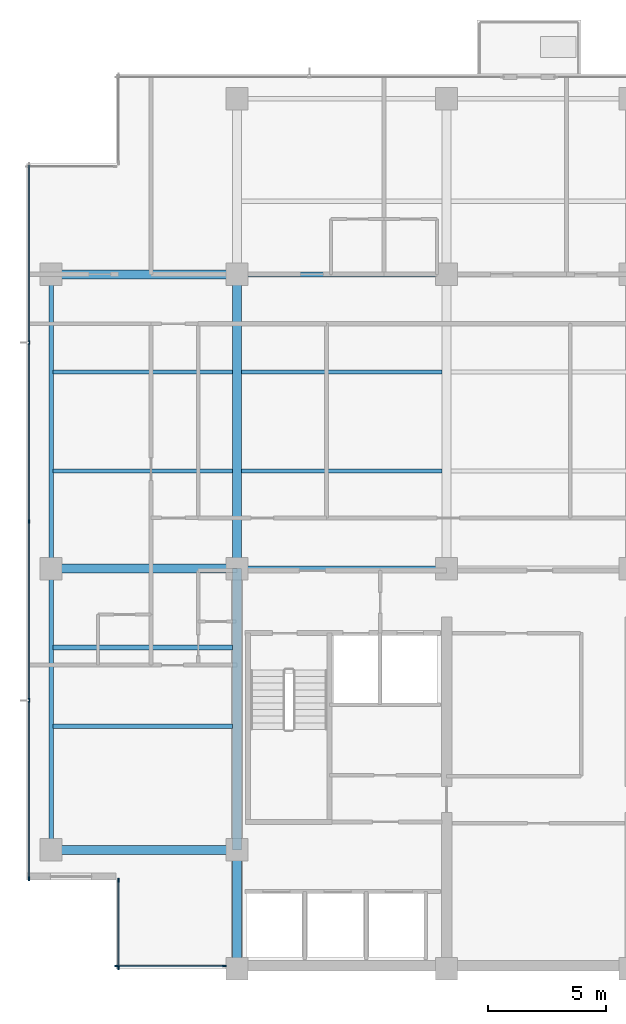
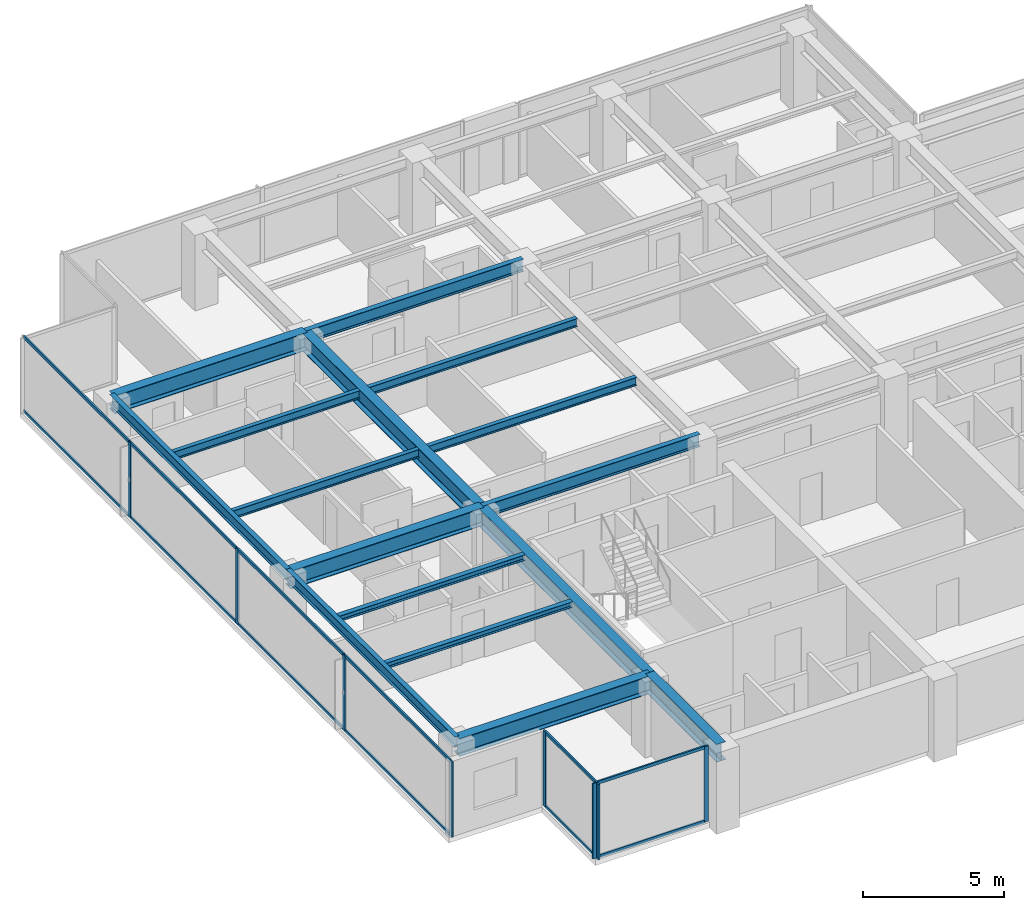
# One storey, part 2 of 15: 20 members, 16 beams, 3 elements without a shape of their own.
"""IFC4 building model written with IfcOpenShell, lengths in metres."""

from ifc_helpers import new_model, si_unit, direction, frame, origin, origin_2d, place, context, subcontext, project, spatial, rectangle, i_section, extrude, material, layer, layer_set, material_profile, profile_set, type_object, element, aggregate, save


model = new_model("IFC4")

# Units and contexts
model_context = context("Model", 3, precision=1e-05, world=origin(), true_north=direction((0.0, 1.0)))
body_context = subcontext(model_context, "Body", "Model", "MODEL_VIEW")
ifc_project = project(units=[si_unit("LENGTHUNIT", "METRE"), si_unit("AREAUNIT", "SQUARE_METRE"), si_unit("VOLUMEUNIT", "CUBIC_METRE"), si_unit("PLANEANGLEUNIT", "RADIAN"), si_unit("MASSUNIT", "GRAM", prefix="KILO")], contexts=[model_context])

# Site, building, storey
site_placement = place(None, origin())
site = spatial("IfcSite", under=ifc_project, at=site_placement, CompositionType="ELEMENT")
building_placement = place(site_placement, origin())
building = spatial("IfcBuilding", under=site, at=building_placement, Name="Qalmaran Belvedere Hotel", CompositionType="ELEMENT")
storey_placement = place(building_placement, frame((0.0, 0.0, 231.89990234375)))
storey = spatial("IfcBuildingStorey", under=building, at=storey_placement, Name="L59", CompositionType="ELEMENT", Elevation=231.89990234375)

# Beams
ifc_material_1 = material(Name="Steel S355JR", Category="steel")
ifc_material_profile_1 = material_profile(ifc_material_1, i_section(OverallWidth=0.201904296875, OverallDepth=0.2470703125, WebThickness=0.00732421875, FlangeThickness=0.010986328125, FilletRadius=0.011962890625, at=origin_2d()), Name="W250X49")
ifc_profile_set_1 = profile_set([ifc_material_profile_1], Name="Steel S355JR")
beam_type_1 = type_object("IfcBeamType", Name="BM-JST-W250X49", PredefinedType="JOIST", material=ifc_profile_set_1)
for number, where, z_axis, x_axis, name in (
    (1, (12.493896484375, 13.800048828125, 3.13671875), (1.0, 0.0, 0.0), (0.0, 1.0, 0.0), "L59 West Wing Joist 038"),
    (2, (12.493896484375, 17.14990234375, 3.13671875), (1.0, 0.0, 0.0), (0.0, 1.0, 0.0), "L59 West Wing Joist 040"),
):
    element("IfcBeam", number, at=place(storey_placement, frame(where, z_axis=z_axis, x_axis=x_axis)), inside=storey, type_object=beam_type_1, Name=name, PredefinedType="JOIST", context=body_context, shape_type="SweptSolid", body=[
        extrude(i_section(OverallWidth=0.201904296875, OverallDepth=0.2470703125, WebThickness=0.00732421875, FlangeThickness=0.010986328125, FilletRadius=0.011962890625, at=origin_2d()), origin(), (0.0, 0.0, 1.0), 7.61767578125),
    ])
ifc_material_profile_2 = material_profile(ifc_material_1, i_section(OverallWidth=0.381103515625, OverallDepth=0.77294921875, WebThickness=0.0166015625, FlangeThickness=0.027099609375, FilletRadius=0.02197265625, at=origin_2d()), Name="W760X257")
ifc_profile_set_2 = profile_set([ifc_material_profile_2], Name="Steel S355JR")
beam_type_2 = type_object("IfcBeamType", Name="BM-PG4-W760X257", PredefinedType="USERDEFINED", material=ifc_profile_set_2)
beam_1_placement = place(storey_placement, frame((20.300048828125, 20.5, 2.87353515625), z_axis=(0.0, 1.0, 0.0), x_axis=(-1.0, 0.0, 0.0)))
element("IfcBeam", 3, at=beam_1_placement, inside=storey, type_object=beam_type_2, Name="L59 Mid-Plate N-S Girder 14", ObjectType="GIRDER", PredefinedType="USERDEFINED", context=body_context, shape_type="SweptSolid", body=[
    extrude(i_section(OverallWidth=0.381103515625, OverallDepth=0.77294921875, WebThickness=0.0166015625, FlangeThickness=0.027099609375, FilletRadius=0.02197265625, at=origin_2d()), origin(), (0.0, 0.0, 1.0), 12.5),
])
for number, where, z_axis, x_axis, name in (
    (4, (12.39990234375, 8.550048828125, 2.87353515625), (1.0, 0.0, 0.0), (0.0, 1.0, 0.0), "L59 West Wing Girder 22"),
    (5, (12.39990234375, 20.5, 2.87353515625), (1.0, 0.0, 0.0), (0.0, 1.0, 0.0), "L59 West Wing Girder 23"),
    (6, (12.39990234375, 33.0, 2.87353515625), (1.0, 0.0, 0.0), (0.0, 1.0, 0.0), "L59 West Wing Girder 24"),
):
    element("IfcBeam", number, at=place(storey_placement, frame(where, z_axis=z_axis, x_axis=x_axis)), inside=storey, type_object=beam_type_2, Name=name, ObjectType="GIRDER", PredefinedType="USERDEFINED", context=body_context, shape_type="SweptSolid", body=[
        extrude(i_section(OverallWidth=0.381103515625, OverallDepth=0.77294921875, WebThickness=0.0166015625, FlangeThickness=0.027099609375, FilletRadius=0.02197265625, at=origin_2d()), origin(), (0.0, 0.0, 1.0), 7.900146484375),
    ])
beam_2_placement = place(storey_placement, frame((20.300048828125, 3.5, 2.87353515625), z_axis=(0.0, 1.0, 0.0), x_axis=(-1.0, 0.0, 0.0)))
element("IfcBeam", 7, at=beam_2_placement, inside=storey, type_object=beam_type_2, Name="L59 West Core Edge Girder A", ObjectType="GIRDER", PredefinedType="USERDEFINED", context=body_context, shape_type="SweptSolid", body=[
    extrude(i_section(OverallWidth=0.381103515625, OverallDepth=0.77294921875, WebThickness=0.0166015625, FlangeThickness=0.027099609375, FilletRadius=0.02197265625, at=origin_2d()), origin(), (0.0, 0.0, 1.0), 5.050048828125),
])
beam_3_placement = place(storey_placement, frame((20.300048828125, 8.550048828125, 2.87353515625), z_axis=(0.0, 1.0, 0.0), x_axis=(-1.0, 0.0, 0.0)))
element("IfcBeam", 8, at=beam_3_placement, inside=storey, type_object=beam_type_2, Name="L59 West Core Edge Girder B", ObjectType="GIRDER", PredefinedType="USERDEFINED", context=body_context, shape_type="SweptSolid", body=[
    extrude(i_section(OverallWidth=0.381103515625, OverallDepth=0.77294921875, WebThickness=0.0166015625, FlangeThickness=0.027099609375, FilletRadius=0.02197265625, at=origin_2d()), origin(), (0.0, 0.0, 1.0), 11.949951171875),
])
ifc_material_profile_3 = material_profile(ifc_material_1, i_section(OverallWidth=0.172119140625, OverallDepth=0.35791015625, WebThickness=0.0078125, FlangeThickness=0.01318359375, FilletRadius=0.014892578125, at=origin_2d()), Name="W360X57")
ifc_profile_set_3 = profile_set([ifc_material_profile_3], Name="Steel S355JR")
beam_type_3 = type_object("IfcBeamType", Name="BM-SB4-W360X57", PredefinedType="BEAM", material=ifc_profile_set_3)
beam_4_placement = place(storey_placement, frame((12.493896484375, 24.64990234375, 3.0810546875), z_axis=(1.0, 0.0, 0.0), x_axis=(0.0, 1.0, 0.0)))
element("IfcBeam", 9, at=beam_4_placement, inside=storey, type_object=beam_type_3, Name="L59 West Secondary Beam 028", PredefinedType="BEAM", context=body_context, shape_type="SweptSolid", body=[
    extrude(i_section(OverallWidth=0.172119140625, OverallDepth=0.35791015625, WebThickness=0.0078125, FlangeThickness=0.01318359375, FilletRadius=0.014892578125, at=origin_2d()), origin(), (0.0, 0.0, 1.0), 7.61767578125),
])
beam_5_placement = place(storey_placement, frame((20.488525390625, 24.64990234375, 3.0810546875), z_axis=(1.0, 0.0, 0.0), x_axis=(0.0, 1.0, 0.0)))
element("IfcBeam", 10, at=beam_5_placement, inside=storey, type_object=beam_type_3, Name="L59 Secondary Floor Beam 029", PredefinedType="BEAM", context=body_context, shape_type="SweptSolid", body=[
    extrude(i_section(OverallWidth=0.172119140625, OverallDepth=0.35791015625, WebThickness=0.0078125, FlangeThickness=0.01318359375, FilletRadius=0.014892578125, at=origin_2d()), origin(), (0.0, 0.0, 1.0), 8.52294921875),
])
beam_6_placement = place(storey_placement, frame((12.493896484375, 28.85009765625, 3.0810546875), z_axis=(1.0, 0.0, 0.0), x_axis=(0.0, 1.0, 0.0)))
element("IfcBeam", 11, at=beam_6_placement, inside=storey, type_object=beam_type_3, Name="L59 West Secondary Beam 033", PredefinedType="BEAM", context=body_context, shape_type="SweptSolid", body=[
    extrude(i_section(OverallWidth=0.172119140625, OverallDepth=0.35791015625, WebThickness=0.0078125, FlangeThickness=0.01318359375, FilletRadius=0.014892578125, at=origin_2d()), origin(), (0.0, 0.0, 1.0), 7.61767578125),
])
beam_7_placement = place(storey_placement, frame((20.488525390625, 28.85009765625, 3.0810546875), z_axis=(1.0, 0.0, 0.0), x_axis=(0.0, 1.0, 0.0)))
element("IfcBeam", 12, at=beam_7_placement, inside=storey, type_object=beam_type_3, Name="L59 Secondary Floor Beam 034", PredefinedType="BEAM", context=body_context, shape_type="SweptSolid", body=[
    extrude(i_section(OverallWidth=0.172119140625, OverallDepth=0.35791015625, WebThickness=0.0078125, FlangeThickness=0.01318359375, FilletRadius=0.014892578125, at=origin_2d()), origin(), (0.0, 0.0, 1.0), 8.52294921875),
])
ifc_material_profile_4 = material_profile(ifc_material_1, i_section(OverallWidth=0.19189453125, OverallDepth=0.462890625, WebThickness=0.010498046875, FlangeThickness=0.017578125, FilletRadius=0.01611328125, at=origin_2d()), Name="W460X89")
ifc_profile_set_4 = profile_set([ifc_material_profile_4], Name="Steel S355JR")
beam_type_4 = type_object("IfcBeamType", Name="BM-SP2-W460X89", PredefinedType="SPANDREL", material=ifc_profile_set_4)
beam_8_placement = place(storey_placement, frame((12.39990234375, 8.550048828125, 3.028564453125), z_axis=(0.0, 1.0, 0.0), x_axis=(-1.0, 0.0, 0.0)))
element("IfcBeam", 13, at=beam_8_placement, inside=storey, type_object=beam_type_4, Name="L59 Perimeter Spandrel 01", PredefinedType="SPANDREL", context=body_context, shape_type="SweptSolid", body=[
    extrude(i_section(OverallWidth=0.19189453125, OverallDepth=0.462890625, WebThickness=0.010498046875, FlangeThickness=0.017578125, FilletRadius=0.01611328125, at=origin_2d()), origin(), (0.0, 0.0, 1.0), 11.949951171875),
])
beam_9_placement = place(storey_placement, frame((12.39990234375, 20.5, 3.028564453125), z_axis=(0.0, 1.0, 0.0), x_axis=(-1.0, 0.0, 0.0)))
element("IfcBeam", 14, at=beam_9_placement, inside=storey, type_object=beam_type_4, Name="L59 Perimeter Spandrel 02", PredefinedType="SPANDREL", context=body_context, shape_type="SweptSolid", body=[
    extrude(i_section(OverallWidth=0.19189453125, OverallDepth=0.462890625, WebThickness=0.010498046875, FlangeThickness=0.017578125, FilletRadius=0.01611328125, at=origin_2d()), origin(), (0.0, 0.0, 1.0), 12.5),
])
ifc_material_profile_5 = material_profile(ifc_material_1, i_section(OverallWidth=0.2109375, OverallDepth=0.5390625, WebThickness=0.01171875, FlangeThickness=0.018798828125, FilletRadius=0.01806640625, at=origin_2d()), Name="W530X109")
ifc_profile_set_5 = profile_set([ifc_material_profile_5], Name="Steel S355JR")
beam_type_5 = type_object("IfcBeamType", Name="BM-Z4-W530X109", PredefinedType="USERDEFINED", material=ifc_profile_set_5)
for number, where, z_axis, x_axis, name in (
    (15, (20.300048828125, 20.5, 2.990478515625), (1.0, 0.0, 0.0), (0.0, 1.0, 0.0), "L59 Interior E-W Girder 08"),
    (16, (20.300048828125, 33.0, 2.990478515625), (1.0, 0.0, 0.0), (0.0, 1.0, 0.0), "L59 Interior E-W Girder 11"),
):
    element("IfcBeam", number, at=place(storey_placement, frame(where, z_axis=z_axis, x_axis=x_axis)), inside=storey, type_object=beam_type_5, Name=name, ObjectType="GIRDER", PredefinedType="USERDEFINED", context=body_context, shape_type="SweptSolid", body=[
        extrude(i_section(OverallWidth=0.2109375, OverallDepth=0.5390625, WebThickness=0.01171875, FlangeThickness=0.018798828125, FilletRadius=0.01806640625, at=origin_2d()), origin(), (0.0, 0.0, 1.0), 8.89990234375),
    ])

# Curtain wall, members
ifc_material_2 = material(Name="Anodised Bronze Aluminium", Category="aluminium")
ifc_layer = layer(ifc_material_2, 0.18994140625, Name="Anodised Bronze Aluminium")
ifc_layer_set = layer_set([ifc_layer], Name="Anodised Bronze Aluminium")
curtain_wall_type = type_object("IfcCurtainWallType", Name="CW5-TOWER-UPPER", PredefinedType="NOTDEFINED", material=ifc_layer_set)
curtain_wall_1_placement = place(storey_placement, origin())
curtain_wall_1 = element("IfcCurtainWall", 17, at=curtain_wall_1_placement, inside=storey, type_object=curtain_wall_type, Name="L59 Curtain Wall CW5", PredefinedType="NOTDEFINED")
ifc_material_profile_6 = material_profile(ifc_material_2, rectangle(XDim=0.06494140625, YDim=0.1650390625, at=origin_2d()), Name="CWM65X165")
ifc_profile_set_6 = profile_set([ifc_material_profile_6], Name="Anodised Bronze Aluminium")
member_type_1 = type_object("IfcMemberType", Name="CWM-65X165", PredefinedType="MULLION", material=ifc_profile_set_6)
member_1_placement = place(storey_placement, frame((15.1826171875, 3.6201171875, 0.0), z_axis=(0.0, 0.0, 1.0), x_axis=(0.0, 1.0, 0.0)))
member_1 = element("IfcMember", 18, at=member_1_placement, type_object=member_type_1, Name="CW5 mullion 1", PredefinedType="MULLION", context=body_context, shape_type="SweptSolid", body=[
    extrude(rectangle(XDim=0.06494140625, YDim=0.1650390625, at=origin_2d()), origin(), (0.0, 0.0, 1.0), 3.260009765625),
])
member_2_placement = place(storey_placement, frame((19.75244140625, 3.6201171875, 0.0), z_axis=(0.0, 0.0, 1.0), x_axis=(0.0, 1.0, 0.0)))
member_2 = element("IfcMember", 19, at=member_2_placement, type_object=member_type_1, Name="CW5 mullion 2", PredefinedType="MULLION", context=body_context, shape_type="SweptSolid", body=[
    extrude(rectangle(XDim=0.06494140625, YDim=0.1650390625, at=origin_2d()), origin(), (0.0, 0.0, 1.0), 3.260009765625),
])

curtain_wall_2_placement = place(storey_placement, origin())
curtain_wall_2 = element("IfcCurtainWall", 20, at=curtain_wall_2_placement, inside=storey, type_object=curtain_wall_type, Name="L59 Curtain Wall CW5", PredefinedType="NOTDEFINED")
member_3_placement = place(storey_placement, frame((11.469970703125, 30.10009765625, 0.0), z_axis=(0.0, 0.0, 1.0), x_axis=(1.0, 0.0, 0.0)))
member_3 = element("IfcMember", 21, at=member_3_placement, type_object=member_type_1, Name="CW5 mullion 2", PredefinedType="MULLION", context=body_context, shape_type="SweptSolid", body=[
    extrude(rectangle(XDim=0.06494140625, YDim=0.1650390625, at=origin_2d()), origin(), (0.0, 0.0, 1.0), 3.260009765625),
])
member_4_placement = place(storey_placement, frame((11.469970703125, 22.5, 0.0), z_axis=(0.0, 0.0, 1.0), x_axis=(1.0, 0.0, 0.0)))
member_4 = element("IfcMember", 22, at=member_4_placement, type_object=member_type_1, Name="CW5 mullion 3", PredefinedType="MULLION", context=body_context, shape_type="SweptSolid", body=[
    extrude(rectangle(XDim=0.06494140625, YDim=0.1650390625, at=origin_2d()), origin(), (0.0, 0.0, 1.0), 3.260009765625),
])
member_5_placement = place(storey_placement, frame((11.469970703125, 14.89990234375, 0.0), z_axis=(0.0, 0.0, 1.0), x_axis=(1.0, 0.0, 0.0)))
member_5 = element("IfcMember", 23, at=member_5_placement, type_object=member_type_1, Name="CW5 mullion 4", PredefinedType="MULLION", context=body_context, shape_type="SweptSolid", body=[
    extrude(rectangle(XDim=0.06494140625, YDim=0.1650390625, at=origin_2d()), origin(), (0.0, 0.0, 1.0), 3.260009765625),
])
member_6_placement = place(storey_placement, frame((11.469970703125, 7.33251953125, 0.0), z_axis=(0.0, 0.0, 1.0), x_axis=(1.0, 0.0, 0.0)))
member_6 = element("IfcMember", 24, at=member_6_placement, type_object=member_type_1, Name="CW5 mullion 5", PredefinedType="MULLION", context=body_context, shape_type="SweptSolid", body=[
    extrude(rectangle(XDim=0.06494140625, YDim=0.1650390625, at=origin_2d()), origin(), (0.0, 0.0, 1.0), 3.260009765625),
])

curtain_wall_3_placement = place(storey_placement, origin())
curtain_wall_3 = element("IfcCurtainWall", 25, at=curtain_wall_3_placement, inside=storey, type_object=curtain_wall_type, Name="L59 Curtain Wall CW5", PredefinedType="NOTDEFINED")
member_7_placement = place(storey_placement, frame((15.27001953125, 7.267578125, 0.0), z_axis=(0.0, 0.0, 1.0), x_axis=(1.0, 0.0, 0.0)))
member_7 = element("IfcMember", 26, at=member_7_placement, type_object=member_type_1, Name="CW5 mullion 1", PredefinedType="MULLION", context=body_context, shape_type="SweptSolid", body=[
    extrude(rectangle(XDim=0.06494140625, YDim=0.1650390625, at=origin_2d()), origin(), (0.0, 0.0, 1.0), 3.260009765625),
])
member_8_placement = place(storey_placement, frame((15.27001953125, 3.532470703125, 0.0), z_axis=(0.0, 0.0, 1.0), x_axis=(1.0, 0.0, 0.0)))
member_8 = element("IfcMember", 27, at=member_8_placement, type_object=member_type_1, Name="CW5 mullion 2", PredefinedType="MULLION", context=body_context, shape_type="SweptSolid", body=[
    extrude(rectangle(XDim=0.06494140625, YDim=0.1650390625, at=origin_2d()), origin(), (0.0, 0.0, 1.0), 3.260009765625),
])

# Member
ifc_material_profile_7 = material_profile(ifc_material_2, rectangle(XDim=0.06494140625, YDim=0.1298828125, at=origin_2d()), Name="CWT65X130")
ifc_profile_set_7 = profile_set([ifc_material_profile_7], Name="Anodised Bronze Aluminium")
member_type_2 = type_object("IfcMemberType", Name="CWT-65X130", PredefinedType="USERDEFINED", material=ifc_profile_set_7)
member_9_placement = place(storey_placement, frame((15.215087890625, 3.6201171875, 0.03271484375), z_axis=(1.0, 0.0, 0.0), x_axis=(0.0, 1.0, 0.0)))
member_9 = element("IfcMember", 28, at=member_9_placement, type_object=member_type_2, Name="CW5 transom 1.1", ObjectType="TRANSOM", PredefinedType="USERDEFINED", context=body_context, shape_type="SweptSolid", body=[
    extrude(rectangle(XDim=0.06494140625, YDim=0.1298828125, at=origin_2d()), origin(), (0.0, 0.0, 1.0), 4.5048828125),
])

member_10_placement = place(storey_placement, frame((15.215087890625, 3.6201171875, 3.2275390625), z_axis=(1.0, 0.0, 0.0), x_axis=(0.0, 1.0, 0.0)))
member_10 = element("IfcMember", 29, at=member_10_placement, type_object=member_type_2, Name="CW5 transom 1.2", ObjectType="TRANSOM", PredefinedType="USERDEFINED", context=body_context, shape_type="SweptSolid", body=[
    extrude(rectangle(XDim=0.06494140625, YDim=0.1298828125, at=origin_2d()), origin(), (0.0, 0.0, 1.0), 4.5048828125),
])

aggregate(curtain_wall_1, [member_1, member_2, member_9, member_10])

member_11_placement = place(storey_placement, frame((11.469970703125, 37.635009765625, 0.03271484375), z_axis=(0.0, -1.0, 0.0), x_axis=(1.0, 0.0, 0.0)))
member_11 = element("IfcMember", 30, at=member_11_placement, type_object=member_type_2, Name="CW5 transom 1.1", ObjectType="TRANSOM", PredefinedType="USERDEFINED", context=body_context, shape_type="SweptSolid", body=[
    extrude(rectangle(XDim=0.06494140625, YDim=0.1298828125, at=origin_2d()), origin(), (0.0, 0.0, 1.0), 7.50244140625),
])

member_12_placement = place(storey_placement, frame((11.469970703125, 37.635009765625, 3.2275390625), z_axis=(0.0, -1.0, 0.0), x_axis=(1.0, 0.0, 0.0)))
member_12 = element("IfcMember", 31, at=member_12_placement, type_object=member_type_2, Name="CW5 transom 1.2", ObjectType="TRANSOM", PredefinedType="USERDEFINED", context=body_context, shape_type="SweptSolid", body=[
    extrude(rectangle(XDim=0.06494140625, YDim=0.1298828125, at=origin_2d()), origin(), (0.0, 0.0, 1.0), 7.50244140625),
])

member_13_placement = place(storey_placement, frame((11.469970703125, 30.0673828125, 0.03271484375), z_axis=(0.0, -1.0, 0.0), x_axis=(1.0, 0.0, 0.0)))
member_13 = element("IfcMember", 32, at=member_13_placement, type_object=member_type_2, Name="CW5 transom 2.1", ObjectType="TRANSOM", PredefinedType="USERDEFINED", context=body_context, shape_type="SweptSolid", body=[
    extrude(rectangle(XDim=0.06494140625, YDim=0.1298828125, at=origin_2d()), origin(), (0.0, 0.0, 1.0), 7.534912109375),
])

member_14_placement = place(storey_placement, frame((11.469970703125, 30.0673828125, 3.2275390625), z_axis=(0.0, -1.0, 0.0), x_axis=(1.0, 0.0, 0.0)))
member_14 = element("IfcMember", 33, at=member_14_placement, type_object=member_type_2, Name="CW5 transom 2.2", ObjectType="TRANSOM", PredefinedType="USERDEFINED", context=body_context, shape_type="SweptSolid", body=[
    extrude(rectangle(XDim=0.06494140625, YDim=0.1298828125, at=origin_2d()), origin(), (0.0, 0.0, 1.0), 7.534912109375),
])

member_15_placement = place(storey_placement, frame((11.469970703125, 22.467529296875, 0.03271484375), z_axis=(0.0, -1.0, 0.0), x_axis=(1.0, 0.0, 0.0)))
member_15 = element("IfcMember", 34, at=member_15_placement, type_object=member_type_2, Name="CW5 transom 3.1", ObjectType="TRANSOM", PredefinedType="USERDEFINED", context=body_context, shape_type="SweptSolid", body=[
    extrude(rectangle(XDim=0.06494140625, YDim=0.1298828125, at=origin_2d()), origin(), (0.0, 0.0, 1.0), 7.534912109375),
])

member_16_placement = place(storey_placement, frame((11.469970703125, 22.467529296875, 3.2275390625), z_axis=(0.0, -1.0, 0.0), x_axis=(1.0, 0.0, 0.0)))
member_16 = element("IfcMember", 35, at=member_16_placement, type_object=member_type_2, Name="CW5 transom 3.2", ObjectType="TRANSOM", PredefinedType="USERDEFINED", context=body_context, shape_type="SweptSolid", body=[
    extrude(rectangle(XDim=0.06494140625, YDim=0.1298828125, at=origin_2d()), origin(), (0.0, 0.0, 1.0), 7.534912109375),
])

member_17_placement = place(storey_placement, frame((11.469970703125, 14.867431640625, 0.03271484375), z_axis=(0.0, -1.0, 0.0), x_axis=(1.0, 0.0, 0.0)))
member_17 = element("IfcMember", 36, at=member_17_placement, type_object=member_type_2, Name="CW5 transom 4.1", ObjectType="TRANSOM", PredefinedType="USERDEFINED", context=body_context, shape_type="SweptSolid", body=[
    extrude(rectangle(XDim=0.06494140625, YDim=0.1298828125, at=origin_2d()), origin(), (0.0, 0.0, 1.0), 7.50244140625),
])

member_18_placement = place(storey_placement, frame((11.469970703125, 14.867431640625, 3.2275390625), z_axis=(0.0, -1.0, 0.0), x_axis=(1.0, 0.0, 0.0)))
member_18 = element("IfcMember", 37, at=member_18_placement, type_object=member_type_2, Name="CW5 transom 4.2", ObjectType="TRANSOM", PredefinedType="USERDEFINED", context=body_context, shape_type="SweptSolid", body=[
    extrude(rectangle(XDim=0.06494140625, YDim=0.1298828125, at=origin_2d()), origin(), (0.0, 0.0, 1.0), 7.50244140625),
])

aggregate(curtain_wall_2, [member_3, member_4, member_5, member_6, member_11, member_12, member_13, member_14, member_15, member_16, member_17, member_18])

member_19_placement = place(storey_placement, frame((15.27001953125, 7.235107421875, 0.03271484375), z_axis=(0.0, -1.0, 0.0), x_axis=(1.0, 0.0, 0.0)))
member_19 = element("IfcMember", 38, at=member_19_placement, type_object=member_type_2, Name="CW5 transom 1.1", ObjectType="TRANSOM", PredefinedType="USERDEFINED", context=body_context, shape_type="SweptSolid", body=[
    extrude(rectangle(XDim=0.06494140625, YDim=0.1298828125, at=origin_2d()), origin(), (0.0, 0.0, 1.0), 3.670166015625),
])

member_20_placement = place(storey_placement, frame((15.27001953125, 7.235107421875, 3.2275390625), z_axis=(0.0, -1.0, 0.0), x_axis=(1.0, 0.0, 0.0)))
member_20 = element("IfcMember", 39, at=member_20_placement, type_object=member_type_2, Name="CW5 transom 1.2", ObjectType="TRANSOM", PredefinedType="USERDEFINED", context=body_context, shape_type="SweptSolid", body=[
    extrude(rectangle(XDim=0.06494140625, YDim=0.1298828125, at=origin_2d()), origin(), (0.0, 0.0, 1.0), 3.670166015625),
])

aggregate(curtain_wall_3, [member_7, member_8, member_19, member_20])

save(model, "model.ifc")
